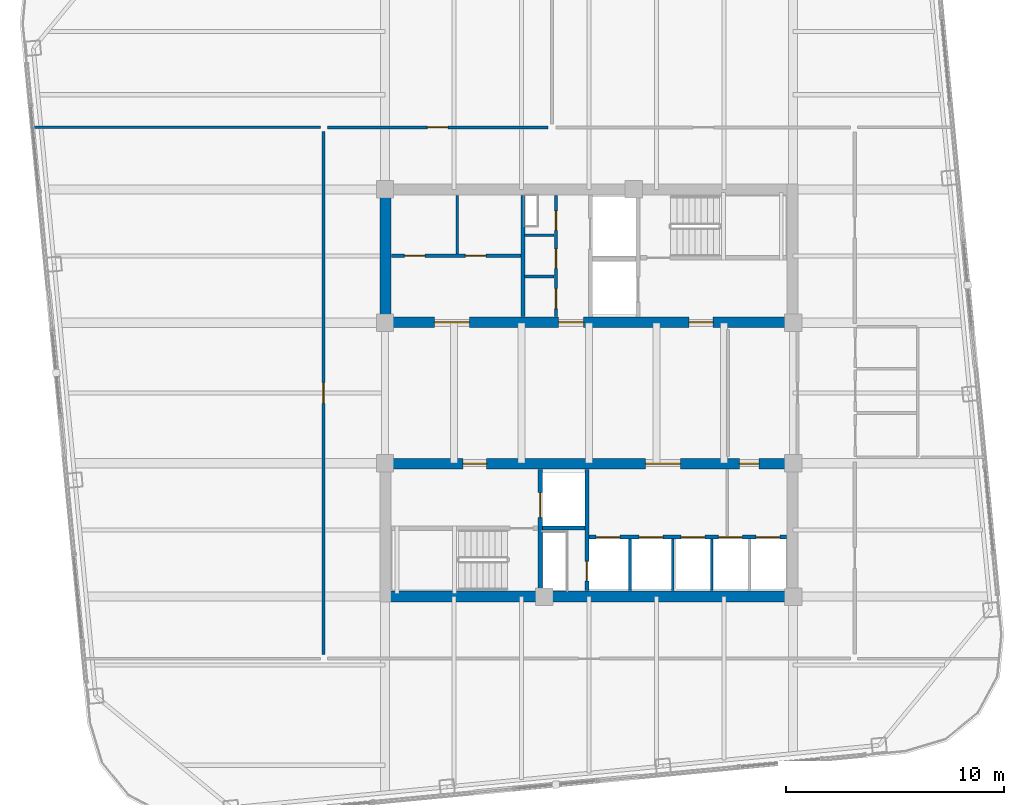
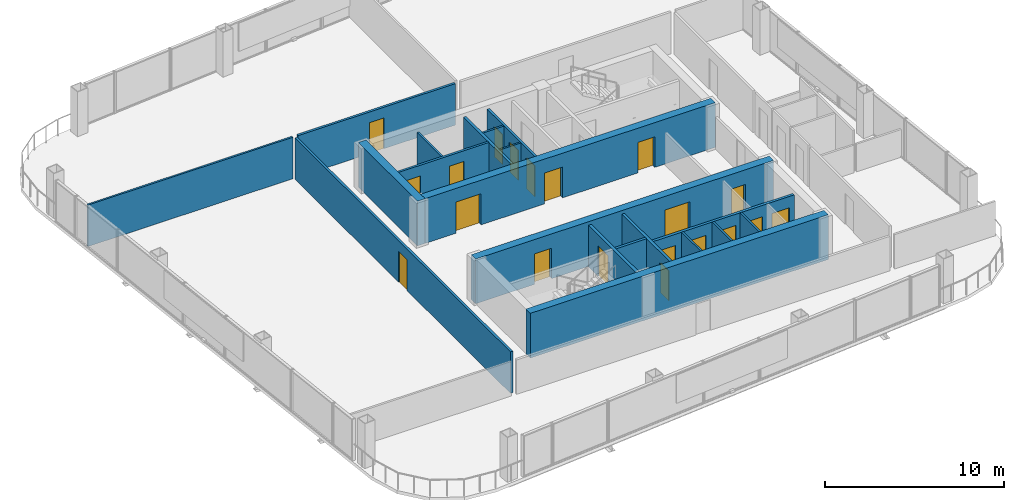
# One storey, part 17 of 21: 20 doors, 20 walls, 20 openings.
"""IFC4 building model written with IfcOpenShell, lengths in metres."""

from ifc_helpers import new_model, si_unit, direction, frame, frame_2d, origin, place, context, subcontext, project, spatial, rectangle, extrude, material, layer, layer_set, type_object, element, fill, save


model = new_model("IFC4")

# Units and contexts
model_context = context("Model", 3, precision=1e-05, world=origin(), true_north=direction((0.0, 1.0)))
body_context = subcontext(model_context, "Body", "Model", "MODEL_VIEW")
ifc_project = project(units=[si_unit("LENGTHUNIT", "METRE"), si_unit("AREAUNIT", "SQUARE_METRE"), si_unit("VOLUMEUNIT", "CUBIC_METRE"), si_unit("PLANEANGLEUNIT", "RADIAN"), si_unit("MASSUNIT", "GRAM", prefix="KILO")], contexts=[model_context])

# Site, building, storey
site_placement = place(None, origin())
site = spatial("IfcSite", under=ifc_project, at=site_placement, CompositionType="ELEMENT")
building_placement = place(site_placement, origin())
building = spatial("IfcBuilding", under=site, at=building_placement, Name="Qhalaya Broadcast Tower", CompositionType="ELEMENT")
storey_placement = place(building_placement, frame((0.0, 0.0, 162.25)))
storey = spatial("IfcBuildingStorey", under=building, at=storey_placement, Name="L47", CompositionType="ELEMENT", Elevation=162.25)

# Wall, openings, doors
ifc_material_1 = material(Name="Gypsum Acoustic Partition")
ifc_layer_1 = layer(ifc_material_1, 0.14990234375, Name="Gypsum Acoustic Partition")
ifc_layer_set_1 = layer_set([ifc_layer_1], Name="Gypsum Acoustic Partition")
wall_type_1 = type_object("IfcWallType", Name="Corridor & Tenancy Acoustic Partition 150", PredefinedType="PARTITIONING", material=ifc_layer_set_1)
wall_1_placement = place(storey_placement, frame((-1.52001953125, 4.1201171875, 0.0), z_axis=(0.0, 0.0, 1.0), x_axis=(0.0, 1.0, 0.0)))
wall_1 = element("IfcWall", 1, at=wall_1_placement, inside=storey, type_object=wall_type_1, Name="L47 Partition Wall NCW-SVL", PredefinedType="PARTITIONING", context=body_context, shape_type="SweptSolid", body=[
    extrude(rectangle(XDim=5.559814453125, YDim=0.14990234375, at=frame_2d((2.77978515625, 0.0))), origin(), (0.0, 0.0, 1.0), 2.830078125),
])
opening_1_placement = place(wall_1_placement, frame((3.949951171875, 0.0, 0.0)))
opening_1 = element("IfcOpeningElement", 2, at=opening_1_placement, cuts=wall_1, Name="Opening D06", PredefinedType="OPENING", context=body_context, shape_type="SweptSolid", body=[
    extrude(rectangle(XDim=0.89990234375, YDim=2.050048828125, at=frame_2d((0.449951171875, 1.02490234375))), frame((0.0, 0.0869140625, 0.0), z_axis=(0.0, -1.0, 0.0), x_axis=(1.0, 0.0, 0.0)), (0.0, 0.0, 1.0), 0.173828125),
])
opening_2_placement = place(wall_1_placement, frame((2.199951171875, 0.0, 0.0)))
opening_2 = element("IfcOpeningElement", 3, at=opening_2_placement, cuts=wall_1, Name="Opening D06", PredefinedType="OPENING", context=body_context, shape_type="SweptSolid", body=[
    extrude(rectangle(XDim=0.89990234375, YDim=2.050048828125, at=frame_2d((0.449951171875, 1.02490234375))), frame((0.0, 0.0869140625, 0.0), z_axis=(0.0, -1.0, 0.0), x_axis=(1.0, 0.0, 0.0)), (0.0, 0.0, 1.0), 0.173828125),
])
opening_3_placement = place(wall_1_placement, frame((0.35009765625, 0.0, 0.0)))
opening_3 = element("IfcOpeningElement", 4, at=opening_3_placement, cuts=wall_1, Name="Opening D12", PredefinedType="OPENING", context=body_context, shape_type="SweptSolid", body=[
    extrude(rectangle(XDim=0.919921875, YDim=2.10009765625, at=frame_2d((0.4599609375, 1.050048828125))), frame((0.0, 0.0869140625, 0.0), z_axis=(0.0, -1.0, 0.0), x_axis=(1.0, 0.0, 0.0)), (0.0, 0.0, 1.0), 0.173828125),
])
ifc_material_2 = material(Name="Timber Veneer Acoustic Door", Category="wood")
door_type_1 = type_object("IfcDoorType", Name="Accessible WC & Restroom Door D12", OperationType="NOTDEFINED", PredefinedType="DOOR", material=ifc_material_2)
door_1_placement = place(opening_3_placement, origin())
door_1 = element("IfcDoor", 5, at=door_1_placement, inside=storey, type_object=door_type_1, Name="L47 Door D-NCWC", OperationType="SINGLE_SWING_RIGHT", OverallHeight=2.10009765625, OverallWidth=0.919921875, PredefinedType="DOOR", context=body_context, shape_type="SweptSolid", body=[
    extrude(rectangle(XDim=0.919921875, YDim=2.10009765625, at=frame_2d((0.4599609375, 1.050048828125))), frame((0.0, 0.02490234375, 0.0), z_axis=(0.0, -1.0, 0.0), x_axis=(1.0, 0.0, 0.0)), (0.0, 0.0, 1.0), 0.050048828125),
])
fill(opening_3, door_1)
ifc_material_3 = material(Name="Fire-Rated Steel Door", Category="steel")
door_type_2 = type_object("IfcDoorType", Name="Riser & Electrical Shaft Access Door D06", OperationType="NOTDEFINED", PredefinedType="DOOR", material=ifc_material_3)
door_2_placement = place(opening_1_placement, origin())
door_2 = element("IfcDoor", 6, at=door_2_placement, inside=storey, type_object=door_type_2, Name="L47 Riser Shaft Access Door D-NRSR", OperationType="SINGLE_SWING_RIGHT", OverallHeight=2.050048828125, OverallWidth=0.89990234375, PredefinedType="DOOR", context=body_context, shape_type="SweptSolid", body=[
    extrude(rectangle(XDim=0.89990234375, YDim=2.050048828125, at=frame_2d((0.449951171875, 1.02490234375))), frame((0.0, 0.02490234375, 0.0), z_axis=(0.0, -1.0, 0.0), x_axis=(1.0, 0.0, 0.0)), (0.0, 0.0, 1.0), 0.050048828125),
])
fill(opening_1, door_2)
door_3_placement = place(opening_2_placement, origin())
door_3 = element("IfcDoor", 7, at=door_3_placement, inside=storey, type_object=door_type_2, Name="L47 Door D-NITR", OperationType="SINGLE_SWING_LEFT", OverallHeight=2.050048828125, OverallWidth=0.89990234375, PredefinedType="DOOR", context=body_context, shape_type="SweptSolid", body=[
    extrude(rectangle(XDim=0.89990234375, YDim=2.050048828125, at=frame_2d((0.449951171875, 1.02490234375))), frame((0.0, 0.02490234375, 0.0), z_axis=(0.0, -1.0, 0.0), x_axis=(1.0, 0.0, 0.0)), (0.0, 0.0, 1.0), 0.050048828125),
])
fill(opening_2, door_3)

wall_2_placement = place(storey_placement, frame((-9.080078125, 6.89990234375, 0.0), z_axis=(0.0, 0.0, 1.0), x_axis=(1.0, 0.0, 0.0)))
wall_2 = element("IfcWall", 8, at=wall_2_placement, inside=storey, type_object=wall_type_1, Name="L47 Partition Wall NCW-REC1", PredefinedType="PARTITIONING", context=body_context, shape_type="SweptSolid", body=[
    extrude(rectangle(XDim=5.9599609375, YDim=0.14990234375, at=frame_2d((2.97998046875, 0.0))), origin(), (0.0, 0.0, 1.0), 2.830078125),
])
opening_4_placement = place(wall_2_placement, frame((0.60009765625, 0.0, 0.0)))
opening_4 = element("IfcOpeningElement", 9, at=opening_4_placement, cuts=wall_2, Name="Opening D10", PredefinedType="OPENING", context=body_context, shape_type="SweptSolid", body=[
    extrude(rectangle(XDim=0.949951171875, YDim=2.10009765625, at=frame_2d((0.47509765625, 1.050048828125))), frame((0.0, 0.0869140625, 0.0), z_axis=(0.0, -1.0, 0.0), x_axis=(1.0, 0.0, 0.0)), (0.0, 0.0, 1.0), 0.173828125),
])
opening_5_placement = place(wall_2_placement, frame((3.39990234375, 0.0, 0.0)))
opening_5 = element("IfcOpeningElement", 10, at=opening_5_placement, cuts=wall_2, Name="Opening D10", PredefinedType="OPENING", context=body_context, shape_type="SweptSolid", body=[
    extrude(rectangle(XDim=0.949951171875, YDim=2.10009765625, at=frame_2d((0.47509765625, 1.050048828125))), frame((0.0, 0.0869140625, 0.0), z_axis=(0.0, -1.0, 0.0), x_axis=(1.0, 0.0, 0.0)), (0.0, 0.0, 1.0), 0.173828125),
])
door_type_3 = type_object("IfcDoorType", Name="Cellular Office & Edit Booth Door D10", OperationType="NOTDEFINED", PredefinedType="DOOR", material=ifc_material_2)
door_4_placement = place(opening_4_placement, origin())
door_4 = element("IfcDoor", 11, at=door_4_placement, inside=storey, type_object=door_type_3, Name="L47 Door D-NREC1", OperationType="SINGLE_SWING_LEFT", OverallHeight=2.10009765625, OverallWidth=0.949951171875, PredefinedType="DOOR", context=body_context, shape_type="SweptSolid", body=[
    extrude(rectangle(XDim=0.949951171875, YDim=2.10009765625, at=frame_2d((0.47509765625, 1.050048828125))), frame((0.0, 0.02490234375, 0.0), z_axis=(0.0, -1.0, 0.0), x_axis=(1.0, 0.0, 0.0)), (0.0, 0.0, 1.0), 0.050048828125),
])
fill(opening_4, door_4)
door_5_placement = place(opening_5_placement, origin())
door_5 = element("IfcDoor", 12, at=door_5_placement, inside=storey, type_object=door_type_3, Name="L47 Door D-NREC2", OperationType="SINGLE_SWING_RIGHT", OverallHeight=2.10009765625, OverallWidth=0.949951171875, PredefinedType="DOOR", context=body_context, shape_type="SweptSolid", body=[
    extrude(rectangle(XDim=0.949951171875, YDim=2.10009765625, at=frame_2d((0.47509765625, 1.050048828125))), frame((0.0, 0.02490234375, 0.0), z_axis=(0.0, -1.0, 0.0), x_axis=(1.0, 0.0, 0.0)), (0.0, 0.0, 1.0), 0.050048828125),
])
fill(opening_5, door_5)

# Wall, opening, door
wall_3_placement = place(storey_placement, frame((-12.02001953125, 12.800048828125, 0.0), z_axis=(0.0, 0.0, 1.0), x_axis=(1.0, 0.0, 0.0)))
wall_3 = element("IfcWall", 13, at=wall_3_placement, inside=storey, type_object=wall_type_1, Name="L47 Partition Wall W-COR-01", PredefinedType="PARTITIONING", context=body_context, shape_type="SweptSolid", body=[
    extrude(rectangle(XDim=10.14013671875, YDim=0.14990234375, at=frame_2d((5.070068359375, 0.0))), origin(), (0.0, 0.0, 1.0), 2.830078125),
])
opening_6_placement = place(wall_3_placement, frame((4.594970703125, 0.0, 0.0)))
opening_6 = element("IfcOpeningElement", 14, at=opening_6_placement, cuts=wall_3, Name="Opening D10", PredefinedType="OPENING", context=body_context, shape_type="SweptSolid", body=[
    extrude(rectangle(XDim=0.949951171875, YDim=2.10009765625, at=frame_2d((0.47509765625, 1.050048828125))), frame((0.0, 0.0869140625, 0.0), z_axis=(0.0, -1.0, 0.0), x_axis=(1.0, 0.0, 0.0)), (0.0, 0.0, 1.0), 0.173828125),
])
door_6_placement = place(opening_6_placement, origin())
door_6 = element("IfcDoor", 15, at=door_6_placement, inside=storey, type_object=door_type_3, Name="L47 Door D-RM01", OperationType="SINGLE_SWING_LEFT", OverallHeight=2.10009765625, OverallWidth=0.949951171875, PredefinedType="DOOR", context=body_context, shape_type="SweptSolid", body=[
    extrude(rectangle(XDim=0.949951171875, YDim=2.10009765625, at=frame_2d((0.47509765625, 1.050048828125))), frame((0.0, 0.02490234375, 0.0), z_axis=(0.0, -1.0, 0.0), x_axis=(1.0, 0.0, 0.0)), (0.0, 0.0, 1.0), 0.050048828125),
])
fill(opening_6, door_6)

wall_4_placement = place(storey_placement, frame((-12.199951171875, -11.419921875, 0.0), z_axis=(0.0, 0.0, 1.0), x_axis=(0.0, 1.0, 0.0)))
wall_4 = element("IfcWall", 16, at=wall_4_placement, inside=storey, type_object=wall_type_1, Name="L47 Partition Wall W-COR-04", PredefinedType="PARTITIONING", context=body_context, shape_type="SweptSolid", body=[
    extrude(rectangle(XDim=24.0400390625, YDim=0.14990234375, at=frame_2d((12.02001953125, 0.0))), origin(), (0.0, 0.0, 1.0), 2.830078125),
])
opening_7_placement = place(wall_4_placement, frame((11.544921875, 0.0, 0.0)))
opening_7 = element("IfcOpeningElement", 17, at=opening_7_placement, cuts=wall_4, Name="Opening D10", PredefinedType="OPENING", context=body_context, shape_type="SweptSolid", body=[
    extrude(rectangle(XDim=0.949951171875, YDim=2.10009765625, at=frame_2d((0.47509765625, 1.050048828125))), frame((0.0, 0.0869140625, 0.0), z_axis=(0.0, -1.0, 0.0), x_axis=(1.0, 0.0, 0.0)), (0.0, 0.0, 1.0), 0.173828125),
])
door_7_placement = place(opening_7_placement, origin())
door_7 = element("IfcDoor", 18, at=door_7_placement, inside=storey, type_object=door_type_3, Name="L47 Door D-RM04", OperationType="SINGLE_SWING_RIGHT", OverallHeight=2.10009765625, OverallWidth=0.949951171875, PredefinedType="DOOR", context=body_context, shape_type="SweptSolid", body=[
    extrude(rectangle(XDim=0.949951171875, YDim=2.10009765625, at=frame_2d((0.47509765625, 1.050048828125))), frame((0.0, 0.02490234375, 0.0), z_axis=(0.0, -1.0, 0.0), x_axis=(1.0, 0.0, 0.0)), (0.0, 0.0, 1.0), 0.050048828125),
])
fill(opening_7, door_7)

ifc_material_4 = material(Name="Concrete C50/60", Category="concrete")
ifc_layer_2 = layer(ifc_material_4, 0.199951171875, Name="Concrete C50/60")
ifc_layer_set_2 = layer_set([ifc_layer_2], Name="Concrete C50/60")
wall_type_2 = type_object("IfcWallType", Name="Load-Bearing Stair Shaft Wall 200", PredefinedType="SHEAR", material=ifc_layer_set_2)
wall_5_placement = place(storey_placement, frame((-2.25, -8.47998046875, 0.0), z_axis=(0.0, 0.0, 1.0), x_axis=(0.0, 1.0, 0.0)))
wall_5 = element("IfcWall", 19, at=wall_5_placement, inside=storey, type_object=wall_type_2, Name="L47 Stair Core Shear Wall SCW-FF", PredefinedType="SHEAR", context=body_context, shape_type="SweptSolid", body=[
    extrude(rectangle(XDim=5.56005859375, YDim=0.199951171875, at=frame_2d((2.780029296875, 0.0))), origin(), (0.0, 0.0, 1.0), 2.830078125),
])
opening_8_placement = place(wall_5_placement, frame((3.35009765625, 0.0, 0.0)))
opening_8 = element("IfcOpeningElement", 20, at=opening_8_placement, cuts=wall_5, Name="Opening LD2", PredefinedType="OPENING", context=body_context, shape_type="SweptSolid", body=[
    extrude(rectangle(XDim=1.14990234375, YDim=2.080078125, at=frame_2d((0.574951171875, 1.0400390625))), frame((0.0, 0.112060546875, 0.0), z_axis=(0.0, -1.0, 0.0), x_axis=(1.0, 0.0, 0.0)), (0.0, 0.0, 1.0), 0.223876953125),
])
ifc_material_5 = material(Name="Brushed Stainless Steel Lift Door", Category="steel")
door_type_4 = type_object("IfcDoorType", Name="Firefighting Lift Sliding Landing Door LD2", OperationType="DOUBLE_DOOR_SLIDING", PredefinedType="DOOR", material=ifc_material_5)
door_8_placement = place(opening_8_placement, origin())
door_8 = element("IfcDoor", 21, at=door_8_placement, inside=storey, type_object=door_type_4, Name="L47 Door LD-FF2", OperationType="DOUBLE_DOOR_SLIDING", OverallHeight=2.080078125, OverallWidth=1.14990234375, PredefinedType="DOOR", context=body_context, shape_type="SweptSolid", body=[
    extrude(rectangle(XDim=1.14990234375, YDim=2.080078125, at=frame_2d((0.574951171875, 1.0400390625))), frame((0.0, 0.02490234375, 0.0), z_axis=(0.0, -1.0, 0.0), x_axis=(1.0, 0.0, 0.0)), (0.0, 0.0, 1.0), 0.050048828125),
])
fill(opening_8, door_8)

# Wall, openings, doors
ifc_layer_3 = layer(ifc_material_4, 0.5, Name="Concrete C50/60")
ifc_layer_set_3 = layer_set([ifc_layer_3], Name="Concrete C50/60")
wall_type_3 = type_object("IfcWallType", Name="Mid Split-Core Shear Wall 500", PredefinedType="SHEAR", material=ifc_layer_set_3)
wall_6_placement = place(storey_placement, frame((-9.60009765625, 3.85009765625, 0.0), z_axis=(0.0, 0.0, 1.0), x_axis=(1.0, 0.0, 0.0)))
wall_6 = element("IfcWall", 22, at=wall_6_placement, inside=storey, type_object=wall_type_3, Name="L47 Split-Core Shear Wall CW-NS", PredefinedType="SHEAR", context=body_context, shape_type="SweptSolid", body=[
    extrude(rectangle(XDim=19.2001953125, YDim=0.5, at=frame_2d((9.60009765625, 0.0))), origin(), (0.0, 0.0, 1.0), 3.050048828125),
])
opening_9_placement = place(wall_6_placement, frame((14.199951171875, 0.0, 0.0)))
opening_9 = element("IfcOpeningElement", 23, at=opening_9_placement, cuts=wall_6, Name="Opening D04", PredefinedType="OPENING", context=body_context, shape_type="SweptSolid", body=[
    extrude(rectangle(XDim=1.10009765625, YDim=2.080078125, at=frame_2d((0.550048828125, 1.0400390625))), frame((0.0, 0.261962890625, 0.0), z_axis=(0.0, -1.0, 0.0), x_axis=(1.0, 0.0, 0.0)), (0.0, 0.0, 1.0), 0.52392578125),
])
opening_10_placement = place(wall_6_placement, frame((8.199951171875, 0.0, 0.0)))
opening_10 = element("IfcOpeningElement", 24, at=opening_10_placement, cuts=wall_6, Name="Opening D05", PredefinedType="OPENING", context=body_context, shape_type="SweptSolid", body=[
    extrude(rectangle(XDim=1.14990234375, YDim=2.10009765625, at=frame_2d((0.574951171875, 1.050048828125))), frame((0.0, 0.261962890625, 0.0), z_axis=(0.0, -1.0, 0.0), x_axis=(1.0, 0.0, 0.0)), (0.0, 0.0, 1.0), 0.52392578125),
])
opening_11_placement = place(wall_6_placement, frame((2.5, 0.0, 0.0)))
opening_11 = element("IfcOpeningElement", 25, at=opening_11_placement, cuts=wall_6, Name="Opening D07", PredefinedType="OPENING", context=body_context, shape_type="SweptSolid", body=[
    extrude(rectangle(XDim=1.60009765625, YDim=2.1201171875, at=frame_2d((0.800048828125, 1.06005859375))), frame((0.0, 0.261962890625, 0.0), z_axis=(0.0, -1.0, 0.0), x_axis=(1.0, 0.0, 0.0)), (0.0, 0.0, 1.0), 0.52392578125),
])
door_type_5 = type_object("IfcDoorType", Name="Firefighting Lobby Rated Door D04", OperationType="NOTDEFINED", PredefinedType="DOOR", material=ifc_material_3)
door_9_placement = place(opening_9_placement, origin())
door_9 = element("IfcDoor", 26, at=door_9_placement, inside=storey, type_object=door_type_5, Name="L47 Door D-NFF", OperationType="SINGLE_SWING_RIGHT", OverallHeight=2.080078125, OverallWidth=1.10009765625, PredefinedType="DOOR", context=body_context, shape_type="SweptSolid", body=[
    extrude(rectangle(XDim=1.10009765625, YDim=2.080078125, at=frame_2d((0.550048828125, 1.0400390625))), frame((0.0, 0.02490234375, 0.0), z_axis=(0.0, -1.0, 0.0), x_axis=(1.0, 0.0, 0.0)), (0.0, 0.0, 1.0), 0.050048828125),
])
fill(opening_9, door_9)
ifc_material_6 = material(Name="Anodised Aluminium Glazed Door", Category="aluminium")
door_type_6 = type_object("IfcDoorType", Name="Passenger Lift Lobby Double Glazed Door D07", OperationType="DOUBLE_DOOR_SINGLE_SWING", PredefinedType="DOOR", material=ifc_material_6)
door_10_placement = place(opening_11_placement, origin())
door_10 = element("IfcDoor", 27, at=door_10_placement, inside=storey, type_object=door_type_6, Name="L47 Door D-NRECV", OperationType="DOUBLE_DOOR_SINGLE_SWING", OverallHeight=2.1201171875, OverallWidth=1.60009765625, PredefinedType="DOOR", context=body_context, shape_type="SweptSolid", body=[
    extrude(rectangle(XDim=1.60009765625, YDim=2.1201171875, at=frame_2d((0.800048828125, 1.06005859375))), frame((0.0, 0.02490234375, 0.0), z_axis=(0.0, -1.0, 0.0), x_axis=(1.0, 0.0, 0.0)), (0.0, 0.0, 1.0), 0.050048828125),
])
fill(opening_11, door_10)
door_type_7 = type_object("IfcDoorType", Name="Refuge & Plant Room Fire Door D05", OperationType="NOTDEFINED", PredefinedType="DOOR", material=ifc_material_3)
door_11_placement = place(opening_10_placement, origin())
door_11 = element("IfcDoor", 28, at=door_11_placement, inside=storey, type_object=door_type_7, Name="L47 Door D-NSVL", OperationType="SINGLE_SWING_LEFT", OverallHeight=2.10009765625, OverallWidth=1.14990234375, PredefinedType="DOOR", context=body_context, shape_type="SweptSolid", body=[
    extrude(rectangle(XDim=1.14990234375, YDim=2.10009765625, at=frame_2d((0.574951171875, 1.050048828125))), frame((0.0, 0.02490234375, 0.0), z_axis=(0.0, -1.0, 0.0), x_axis=(1.0, 0.0, 0.0)), (0.0, 0.0, 1.0), 0.050048828125),
])
fill(opening_10, door_11)

# Walls
wall_7_placement = place(storey_placement, frame((-9.35009765625, 3.60009765625, 0.0), z_axis=(0.0, 0.0, 1.0), x_axis=(0.0, 1.0, 0.0)))
element("IfcWall", 29, at=wall_7_placement, inside=storey, type_object=wall_type_3, Name="L47 Split-Core Shear Wall CW-NW", PredefinedType="SHEAR", context=body_context, shape_type="SweptSolid", body=[
    extrude(rectangle(XDim=6.599853515625, YDim=0.5, at=frame_2d((3.2998046875, 0.0))), origin(), (0.0, 0.0, 1.0), 3.050048828125),
])
wall_8_placement = place(storey_placement, frame((-9.60009765625, -8.75, 0.0), z_axis=(0.0, 0.0, 1.0), x_axis=(1.0, 0.0, 0.0)))
element("IfcWall", 30, at=wall_8_placement, inside=storey, type_object=wall_type_3, Name="L47 Split-Core Shear Wall CW-SS", PredefinedType="SHEAR", context=body_context, shape_type="SweptSolid", body=[
    extrude(rectangle(XDim=19.2001953125, YDim=0.5, at=frame_2d((9.60009765625, 0.0))), origin(), (0.0, 0.0, 1.0), 3.050048828125),
])

# Wall, openings, doors
wall_9_placement = place(storey_placement, frame((-9.60009765625, -2.64990234375, 0.0), z_axis=(0.0, 0.0, 1.0), x_axis=(1.0, 0.0, 0.0)))
wall_9 = element("IfcWall", 31, at=wall_9_placement, inside=storey, type_object=wall_type_3, Name="L47 Split-Core Shear Wall CW-SN", PredefinedType="SHEAR", context=body_context, shape_type="SweptSolid", body=[
    extrude(rectangle(XDim=19.2001953125, YDim=0.5, at=frame_2d((9.60009765625, 0.0))), origin(), (0.0, 0.0, 1.0), 3.050048828125),
])
opening_12_placement = place(wall_9_placement, frame((3.800048828125, 0.0, 0.0)))
opening_12 = element("IfcOpeningElement", 32, at=opening_12_placement, cuts=wall_9, Name="Opening D04", PredefinedType="OPENING", context=body_context, shape_type="SweptSolid", body=[
    extrude(rectangle(XDim=1.10009765625, YDim=2.080078125, at=frame_2d((0.550048828125, 1.0400390625))), frame((0.0, 0.261962890625, 0.0), z_axis=(0.0, -1.0, 0.0), x_axis=(1.0, 0.0, 0.0)), (0.0, 0.0, 1.0), 0.52392578125),
])
opening_13_placement = place(wall_9_placement, frame((12.199951171875, 0.0, 0.0)))
opening_13 = element("IfcOpeningElement", 33, at=opening_13_placement, cuts=wall_9, Name="Opening D07", PredefinedType="OPENING", context=body_context, shape_type="SweptSolid", body=[
    extrude(rectangle(XDim=1.60009765625, YDim=2.1201171875, at=frame_2d((0.800048828125, 1.06005859375))), frame((0.0, 0.261962890625, 0.0), z_axis=(0.0, -1.0, 0.0), x_axis=(1.0, 0.0, 0.0)), (0.0, 0.0, 1.0), 0.52392578125),
])
opening_14_placement = place(wall_9_placement, frame((16.5, 0.0, 0.0)))
opening_14 = element("IfcOpeningElement", 34, at=opening_14_placement, cuts=wall_9, Name="Opening D06", PredefinedType="OPENING", context=body_context, shape_type="SweptSolid", body=[
    extrude(rectangle(XDim=0.89990234375, YDim=2.050048828125, at=frame_2d((0.449951171875, 1.02490234375))), frame((0.0, 0.261962890625, 0.0), z_axis=(0.0, -1.0, 0.0), x_axis=(1.0, 0.0, 0.0)), (0.0, 0.0, 1.0), 0.52392578125),
])
door_12_placement = place(opening_12_placement, origin())
door_12 = element("IfcDoor", 35, at=door_12_placement, inside=storey, type_object=door_type_5, Name="L47 Door D-SFF", OperationType="SINGLE_SWING_LEFT", OverallHeight=2.080078125, OverallWidth=1.10009765625, PredefinedType="DOOR", context=body_context, shape_type="SweptSolid", body=[
    extrude(rectangle(XDim=1.10009765625, YDim=2.080078125, at=frame_2d((0.550048828125, 1.0400390625))), frame((0.0, 0.02490234375, 0.0), z_axis=(0.0, -1.0, 0.0), x_axis=(1.0, 0.0, 0.0)), (0.0, 0.0, 1.0), 0.050048828125),
])
fill(opening_12, door_12)
door_13_placement = place(opening_13_placement, origin())
door_13 = element("IfcDoor", 36, at=door_13_placement, inside=storey, type_object=door_type_6, Name="L47 Door D-SPLL", OperationType="DOUBLE_DOOR_SINGLE_SWING", OverallHeight=2.1201171875, OverallWidth=1.60009765625, PredefinedType="DOOR", context=body_context, shape_type="SweptSolid", body=[
    extrude(rectangle(XDim=1.60009765625, YDim=2.1201171875, at=frame_2d((0.800048828125, 1.06005859375))), frame((0.0, 0.02490234375, 0.0), z_axis=(0.0, -1.0, 0.0), x_axis=(1.0, 0.0, 0.0)), (0.0, 0.0, 1.0), 0.050048828125),
])
fill(opening_13, door_13)
door_14_placement = place(opening_14_placement, origin())
door_14 = element("IfcDoor", 37, at=door_14_placement, inside=storey, type_object=door_type_2, Name="L47 Door D-SSCST", OperationType="SINGLE_SWING_LEFT", OverallHeight=2.050048828125, OverallWidth=0.89990234375, PredefinedType="DOOR", context=body_context, shape_type="SweptSolid", body=[
    extrude(rectangle(XDim=0.89990234375, YDim=2.050048828125, at=frame_2d((0.449951171875, 1.02490234375))), frame((0.0, 0.02490234375, 0.0), z_axis=(0.0, -1.0, 0.0), x_axis=(1.0, 0.0, 0.0)), (0.0, 0.0, 1.0), 0.050048828125),
])
fill(opening_14, door_14)

# Walls
ifc_layer_4 = layer(ifc_material_1, 0.1201171875, Name="Gypsum Acoustic Partition")
ifc_layer_set_4 = layer_set([ifc_layer_4], Name="Gypsum Acoustic Partition")
wall_type_4 = type_object("IfcWallType", Name="Office, Booth & Sanitary Partition 120", PredefinedType="PARTITIONING", material=ifc_layer_set_4)
for number, where, z_axis, x_axis, name in (
    (38, (-2.9599609375, 5.949951171875, 0.0), (0.0, 0.0, 1.0), (1.0, 0.0, 0.0), "L47 Partition Wall NCW-VB1"),
    (39, (-2.9599609375, 7.85009765625, 0.0), (0.0, 0.0, 1.0), (1.0, 0.0, 0.0), "L47 Partition Wall NCW-VB2"),
):
    element("IfcWall", number, at=place(storey_placement, frame(where, z_axis=z_axis, x_axis=x_axis)), inside=storey, type_object=wall_type_4, Name=name, PredefinedType="PARTITIONING", context=body_context, shape_type="SweptSolid", body=[
        extrude(rectangle(XDim=1.35986328125, YDim=0.1201171875, at=frame_2d((0.679931640625, 0.0))), origin(), (0.0, 0.0, 1.0), 2.830078125),
    ])
wall_10_placement = place(storey_placement, frame((-6.050048828125, 6.97998046875, 0.0), z_axis=(0.0, 0.0, 1.0), x_axis=(0.0, 1.0, 0.0)))
element("IfcWall", 40, at=wall_10_placement, inside=storey, type_object=wall_type_4, Name="L47 Partition Wall NCW-REC2", PredefinedType="PARTITIONING", context=body_context, shape_type="SweptSolid", body=[
    extrude(rectangle(XDim=2.699951171875, YDim=0.1201171875, at=frame_2d((1.35009765625, 0.0))), origin(), (0.0, 0.0, 1.0), 2.830078125),
])
for number, where, z_axis, x_axis, name in (
    (41, (1.8798828125, -8.47998046875, 0.0), (0.0, 0.0, 1.0), (0.0, 1.0, 0.0), "L47 Partition Wall SCW-MD4"),
    (42, (3.85009765625, -8.47998046875, 0.0), (0.0, 0.0, 1.0), (0.0, 1.0, 0.0), "L47 Partition Wall SCW-MD5"),
    (43, (5.639892578125, -8.47998046875, 0.0), (0.0, 0.0, 1.0), (0.0, 1.0, 0.0), "L47 Partition Wall SCW-HD6"),
):
    element("IfcWall", number, at=place(storey_placement, frame(where, z_axis=z_axis, x_axis=x_axis)), inside=storey, type_object=wall_type_4, Name=name, PredefinedType="PARTITIONING", context=body_context, shape_type="SweptSolid", body=[
        extrude(rectangle(XDim=2.3798828125, YDim=0.1201171875, at=frame_2d((1.18994140625, 0.0))), origin(), (0.0, 0.0, 1.0), 2.830078125),
    ])
wall_11_placement = place(storey_placement, frame((-25.558837890625, 12.800048828125, 0.0), z_axis=(0.0, 0.0, 1.0), x_axis=(1.0, 0.0, 0.0)))
element("IfcWall", 44, at=wall_11_placement, inside=storey, type_object=wall_type_4, Name="L47 Partition Wall W-BNDW1", PredefinedType="PARTITIONING", context=body_context, shape_type="SweptSolid", body=[
    extrude(rectangle(XDim=13.21875, YDim=0.1201171875, at=frame_2d((6.609375, 0.0))), origin(), (0.0, 0.0, 1.0), 2.830078125),
])
ifc_layer_5 = layer(ifc_material_1, 0.175048828125, Name="Gypsum Acoustic Partition")
ifc_layer_set_5 = layer_set([ifc_layer_5], Name="Gypsum Acoustic Partition")
wall_type_5 = type_object("IfcWallType", Name="Shaft & Riser Fire Partition 175", PredefinedType="PARTITIONING", material=ifc_layer_set_5)
wall_12_placement = place(storey_placement, frame((-3.0400390625, 4.1201171875, 0.0), z_axis=(0.0, 0.0, 1.0), x_axis=(0.0, 1.0, 0.0)))
element("IfcWall", 45, at=wall_12_placement, inside=storey, type_object=wall_type_5, Name="L47 Partition Wall NCW-VRW", PredefinedType="PARTITIONING", context=body_context, shape_type="SweptSolid", body=[
    extrude(rectangle(XDim=5.559814453125, YDim=0.175048828125, at=frame_2d((2.77978515625, 0.0))), origin(), (0.0, 0.0, 1.0), 2.830078125),
])

# Wall, opening, door
wall_13_placement = place(storey_placement, frame((-0.10009765625, -8.47998046875, 0.0), z_axis=(0.0, 0.0, 1.0), x_axis=(0.0, 1.0, 0.0)))
wall_13 = element("IfcWall", 46, at=wall_13_placement, inside=storey, type_object=wall_type_5, Name="L47 Partition Wall SCW-FFE", PredefinedType="PARTITIONING", context=body_context, shape_type="SweptSolid", body=[
    extrude(rectangle(XDim=5.56005859375, YDim=0.175048828125, at=frame_2d((2.780029296875, 0.0))), origin(), (0.0, 0.0, 1.0), 2.830078125),
])
opening_15_placement = place(wall_13_placement, frame((0.449951171875, 0.0, 0.0)))
opening_15 = element("IfcOpeningElement", 47, at=opening_15_placement, cuts=wall_13, Name="Opening D06", PredefinedType="OPENING", context=body_context, shape_type="SweptSolid", body=[
    extrude(rectangle(XDim=0.89990234375, YDim=2.050048828125, at=frame_2d((0.449951171875, 1.02490234375))), frame((0.0, 0.099609375, 0.0), z_axis=(0.0, -1.0, 0.0), x_axis=(1.0, 0.0, 0.0)), (0.0, 0.0, 1.0), 0.198974609375),
])
door_15_placement = place(opening_15_placement, origin())
door_15 = element("IfcDoor", 48, at=door_15_placement, inside=storey, type_object=door_type_2, Name="L47 Riser Shaft Access Door D-SRSR", OperationType="SINGLE_SWING_LEFT", OverallHeight=2.050048828125, OverallWidth=0.89990234375, PredefinedType="DOOR", context=body_context, shape_type="SweptSolid", body=[
    extrude(rectangle(XDim=0.89990234375, YDim=2.050048828125, at=frame_2d((0.449951171875, 1.02490234375))), frame((0.0, 0.02490234375, 0.0), z_axis=(0.0, -1.0, 0.0), x_axis=(1.0, 0.0, 0.0)), (0.0, 0.0, 1.0), 0.050048828125),
])
fill(opening_15, door_15)

# Wall
wall_14_placement = place(storey_placement, frame((-2.14990234375, -5.60009765625, 0.0), z_axis=(0.0, 0.0, 1.0), x_axis=(1.0, 0.0, 0.0)))
element("IfcWall", 49, at=wall_14_placement, inside=storey, type_object=wall_type_5, Name="L47 Partition Wall SCW-FFM", PredefinedType="PARTITIONING", context=body_context, shape_type="SweptSolid", body=[
    extrude(rectangle(XDim=1.969970703125, YDim=0.175048828125, at=frame_2d((0.98486328125, 0.0))), origin(), (0.0, 0.0, 1.0), 2.830078125),
])

# Wall, openings, doors
wall_15_placement = place(storey_placement, frame((0.0, -6.02001953125, 0.0), z_axis=(0.0, 0.0, 1.0), x_axis=(1.0, 0.0, 0.0)))
wall_15 = element("IfcWall", 50, at=wall_15_placement, inside=storey, type_object=wall_type_5, Name="L47 Partition Wall SCW-SLB", PredefinedType="PARTITIONING", context=body_context, shape_type="SweptSolid", body=[
    extrude(rectangle(XDim=9.080078125, YDim=0.175048828125, at=frame_2d((4.5400390625, 0.0))), origin(), (0.0, 0.0, 1.0), 2.830078125),
])
opening_16_placement = place(wall_15_placement, frame((0.330078125, 0.0, 0.0)))
opening_16 = element("IfcOpeningElement", 51, at=opening_16_placement, cuts=wall_15, Name="Opening LD1", PredefinedType="OPENING", context=body_context, shape_type="SweptSolid", body=[
    extrude(rectangle(XDim=1.10009765625, YDim=2.06005859375, at=frame_2d((0.550048828125, 1.030029296875))), frame((0.0, 0.099609375, 0.0), z_axis=(0.0, -1.0, 0.0), x_axis=(1.0, 0.0, 0.0)), (0.0, 0.0, 1.0), 0.198974609375),
])
opening_17_placement = place(wall_15_placement, frame((2.300048828125, 0.0, 0.0)))
opening_17 = element("IfcOpeningElement", 52, at=opening_17_placement, cuts=wall_15, Name="Opening LD1", PredefinedType="OPENING", context=body_context, shape_type="SweptSolid", body=[
    extrude(rectangle(XDim=1.10009765625, YDim=2.06005859375, at=frame_2d((0.550048828125, 1.030029296875))), frame((0.0, 0.099609375, 0.0), z_axis=(0.0, -1.0, 0.0), x_axis=(1.0, 0.0, 0.0)), (0.0, 0.0, 1.0), 0.198974609375),
])
opening_18_placement = place(wall_15_placement, frame((4.219970703125, 0.0, 0.0)))
opening_18 = element("IfcOpeningElement", 53, at=opening_18_placement, cuts=wall_15, Name="Opening LD1", PredefinedType="OPENING", context=body_context, shape_type="SweptSolid", body=[
    extrude(rectangle(XDim=1.10009765625, YDim=2.06005859375, at=frame_2d((0.550048828125, 1.030029296875))), frame((0.0, 0.099609375, 0.0), z_axis=(0.0, -1.0, 0.0), x_axis=(1.0, 0.0, 0.0)), (0.0, 0.0, 1.0), 0.198974609375),
])
opening_19_placement = place(wall_15_placement, frame((5.93994140625, 0.0, 0.0)))
opening_19 = element("IfcOpeningElement", 54, at=opening_19_placement, cuts=wall_15, Name="Opening LD1", PredefinedType="OPENING", context=body_context, shape_type="SweptSolid", body=[
    extrude(rectangle(XDim=1.10009765625, YDim=2.06005859375, at=frame_2d((0.550048828125, 1.030029296875))), frame((0.0, 0.099609375, 0.0), z_axis=(0.0, -1.0, 0.0), x_axis=(1.0, 0.0, 0.0)), (0.0, 0.0, 1.0), 0.198974609375),
])
opening_20_placement = place(wall_15_placement, frame((7.659912109375, 0.0, 0.0)))
opening_20 = element("IfcOpeningElement", 55, at=opening_20_placement, cuts=wall_15, Name="Opening LD1", PredefinedType="OPENING", context=body_context, shape_type="SweptSolid", body=[
    extrude(rectangle(XDim=1.10009765625, YDim=2.06005859375, at=frame_2d((0.550048828125, 1.030029296875))), frame((0.0, 0.099609375, 0.0), z_axis=(0.0, -1.0, 0.0), x_axis=(1.0, 0.0, 0.0)), (0.0, 0.0, 1.0), 0.198974609375),
])
door_type_8 = type_object("IfcDoorType", Name="Passenger Lift Sliding Landing Door LD1", OperationType="DOUBLE_DOOR_SLIDING", PredefinedType="DOOR", material=ifc_material_5)
door_16_placement = place(opening_16_placement, origin())
door_16 = element("IfcDoor", 56, at=door_16_placement, inside=storey, type_object=door_type_8, Name="L47 Door LD-P4", OperationType="DOUBLE_DOOR_SLIDING", OverallHeight=2.06005859375, OverallWidth=1.10009765625, PredefinedType="DOOR", context=body_context, shape_type="SweptSolid", body=[
    extrude(rectangle(XDim=1.10009765625, YDim=2.06005859375, at=frame_2d((0.550048828125, 1.030029296875))), frame((0.0, 0.02490234375, 0.0), z_axis=(0.0, -1.0, 0.0), x_axis=(1.0, 0.0, 0.0)), (0.0, 0.0, 1.0), 0.050048828125),
])
fill(opening_16, door_16)
door_17_placement = place(opening_17_placement, origin())
door_17 = element("IfcDoor", 57, at=door_17_placement, inside=storey, type_object=door_type_8, Name="L47 Door LD-P5", OperationType="DOUBLE_DOOR_SLIDING", OverallHeight=2.06005859375, OverallWidth=1.10009765625, PredefinedType="DOOR", context=body_context, shape_type="SweptSolid", body=[
    extrude(rectangle(XDim=1.10009765625, YDim=2.06005859375, at=frame_2d((0.550048828125, 1.030029296875))), frame((0.0, 0.02490234375, 0.0), z_axis=(0.0, -1.0, 0.0), x_axis=(1.0, 0.0, 0.0)), (0.0, 0.0, 1.0), 0.050048828125),
])
fill(opening_17, door_17)
door_18_placement = place(opening_18_placement, origin())
door_18 = element("IfcDoor", 58, at=door_18_placement, inside=storey, type_object=door_type_8, Name="L47 Door LD-P6", OperationType="DOUBLE_DOOR_SLIDING", OverallHeight=2.06005859375, OverallWidth=1.10009765625, PredefinedType="DOOR", context=body_context, shape_type="SweptSolid", body=[
    extrude(rectangle(XDim=1.10009765625, YDim=2.06005859375, at=frame_2d((0.550048828125, 1.030029296875))), frame((0.0, 0.02490234375, 0.0), z_axis=(0.0, -1.0, 0.0), x_axis=(1.0, 0.0, 0.0)), (0.0, 0.0, 1.0), 0.050048828125),
])
fill(opening_18, door_18)
door_19_placement = place(opening_19_placement, origin())
door_19 = element("IfcDoor", 59, at=door_19_placement, inside=storey, type_object=door_type_8, Name="L47 Door LD-P7", OperationType="DOUBLE_DOOR_SLIDING", OverallHeight=2.06005859375, OverallWidth=1.10009765625, PredefinedType="DOOR", context=body_context, shape_type="SweptSolid", body=[
    extrude(rectangle(XDim=1.10009765625, YDim=2.06005859375, at=frame_2d((0.550048828125, 1.030029296875))), frame((0.0, 0.02490234375, 0.0), z_axis=(0.0, -1.0, 0.0), x_axis=(1.0, 0.0, 0.0)), (0.0, 0.0, 1.0), 0.050048828125),
])
fill(opening_19, door_19)
door_20_placement = place(opening_20_placement, origin())
door_20 = element("IfcDoor", 60, at=door_20_placement, inside=storey, type_object=door_type_8, Name="L47 Door LD-P8", OperationType="DOUBLE_DOOR_SLIDING", OverallHeight=2.06005859375, OverallWidth=1.10009765625, PredefinedType="DOOR", context=body_context, shape_type="SweptSolid", body=[
    extrude(rectangle(XDim=1.10009765625, YDim=2.06005859375, at=frame_2d((0.550048828125, 1.030029296875))), frame((0.0, 0.02490234375, 0.0), z_axis=(0.0, -1.0, 0.0), x_axis=(1.0, 0.0, 0.0)), (0.0, 0.0, 1.0), 0.050048828125),
])
fill(opening_20, door_20)

save(model, "model.ifc")
